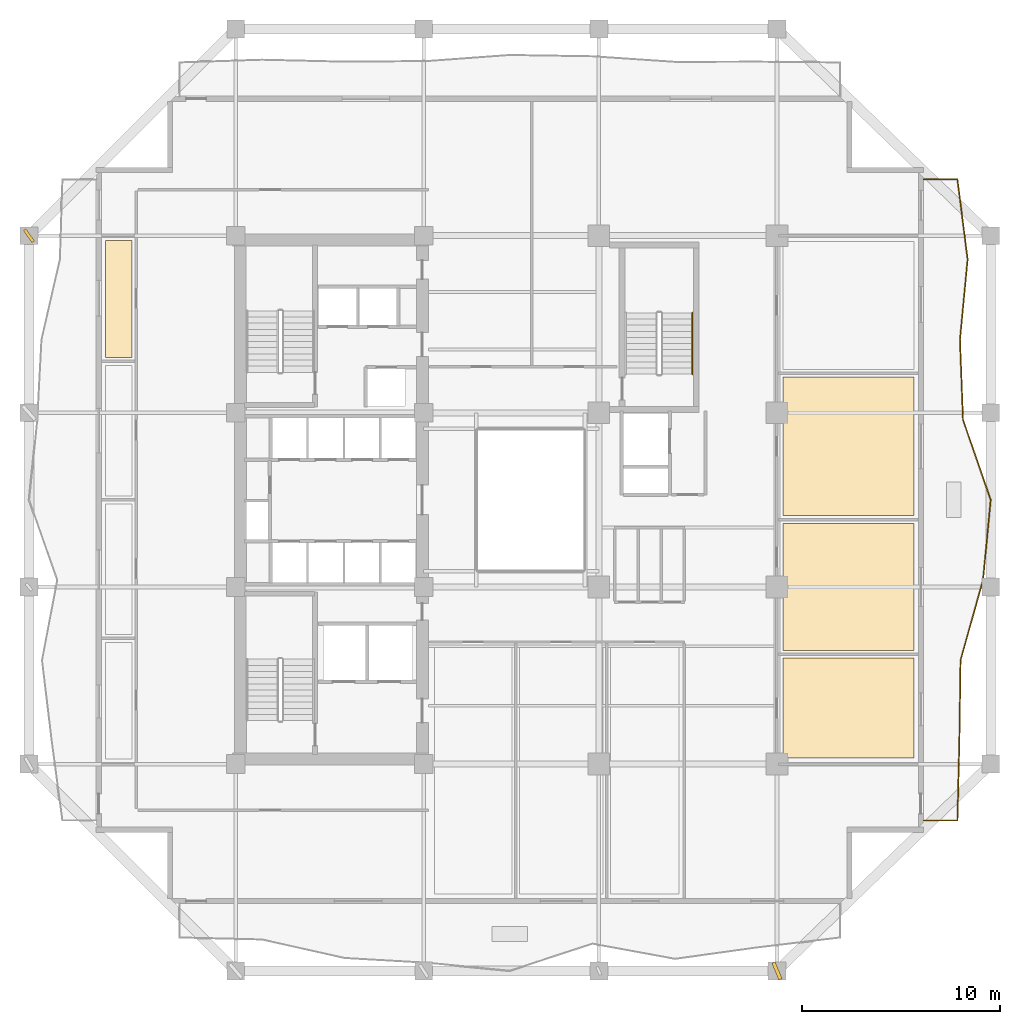
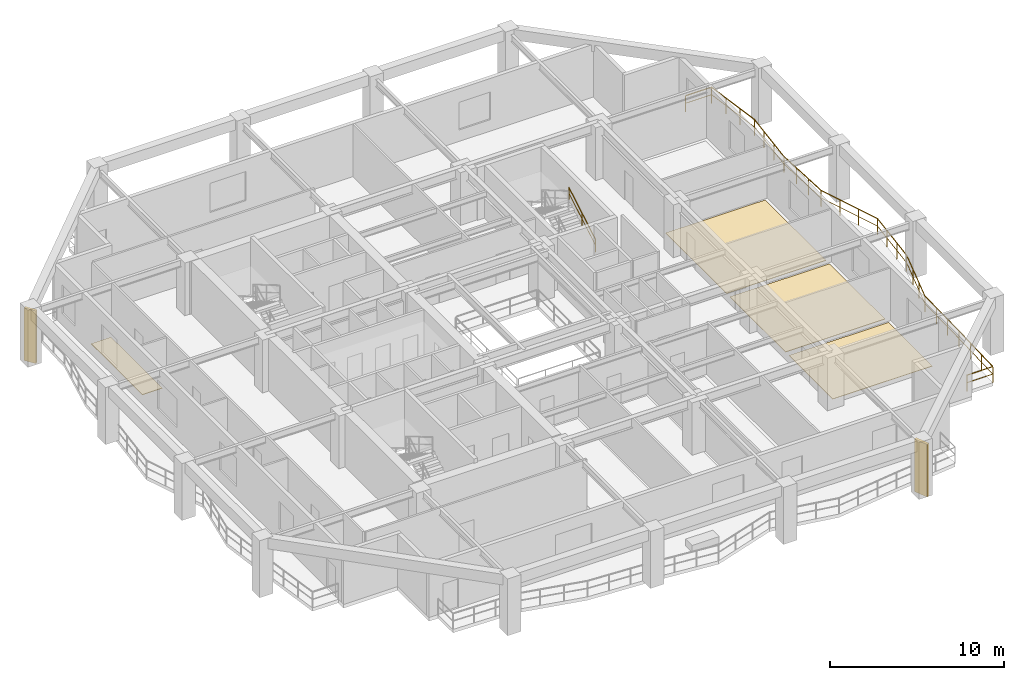
# One storey, part 9 of 11: 4 coverings, 2 railings, 2 shading devices.
"""IFC4 building model written with IfcOpenShell, lengths in metres."""

from ifc_helpers import new_model, si_unit, direction, frame, origin, origin_2d, place, context, subcontext, project, spatial, polyline, rectangle, outline, extrude, material, layer, layer_set, type_object, element, save


model = new_model("IFC4")

# Units and contexts
model_context = context("Model", 3, precision=1e-05, world=origin(), true_north=direction((0.0, 1.0)))
body_context = subcontext(model_context, "Body", "Model", "MODEL_VIEW")
ifc_project = project(units=[si_unit("LENGTHUNIT", "METRE"), si_unit("AREAUNIT", "SQUARE_METRE"), si_unit("VOLUMEUNIT", "CUBIC_METRE"), si_unit("PLANEANGLEUNIT", "RADIAN"), si_unit("MASSUNIT", "GRAM", prefix="KILO")], contexts=[model_context])

# Site, building, storey
site_placement = place(None, origin())
site = spatial("IfcSite", under=ifc_project, at=site_placement, CompositionType="ELEMENT")
building_placement = place(site_placement, origin())
building = spatial("IfcBuilding", under=site, at=building_placement, Name="Kundavana Baori Tower", CompositionType="ELEMENT")
storey_placement = place(building_placement, frame((0.0, 0.0, 90.0)))
storey = spatial("IfcBuildingStorey", under=building, at=storey_placement, Name="L21", CompositionType="ELEMENT", Elevation=90.0)

# Coverings
ifc_material_1 = material(Name="Honed Kota Stone and Terrazzo Flooring", Category="masonry")
ifc_layer_1 = layer(ifc_material_1, 0.0400390625, Name="COV-FLR-TERR-40")
ifc_layer_set_1 = layer_set([ifc_layer_1], Name="Honed Kota Stone and Terrazzo Flooring")
covering_type_1 = type_object("IfcCoveringType", Name="COV-FLR-TERR-40", PredefinedType="FLOORING", material=ifc_layer_set_1)
covering_1_placement = place(storey_placement, origin())
element("IfcCovering", 1, at=covering_1_placement, inside=storey, type_object=covering_type_1, Name="L21 Room Finished Stone Flooring 4", PredefinedType="FLOORING", context=body_context, shape_type="SweptSolid", body=[
    extrude(outline(polyline([(8.8798828125, 35.800048828125), (10.199951171875, 35.800048828125), (10.199951171875, 41.699951171875), (8.8798828125, 41.699951171875), (8.8798828125, 35.800048828125)])), origin(), (0.0, 0.0, 1.0), 0.0400390625),
])
ifc_material_2 = material(Name="Honed Kota Stone and Terrazzo Flooring", Category="masonry")
ifc_layer_2 = layer(ifc_material_2, 0.030029296875, Name="COV-INT-FLR")
ifc_layer_set_2 = layer_set([ifc_layer_2], Name="Honed Kota Stone and Terrazzo Flooring")
covering_type_2 = type_object("IfcCoveringType", Name="COV-INT-FLR", PredefinedType="FLOORING", material=ifc_layer_set_2)
covering_2_placement = place(storey_placement, origin())
element("IfcCovering", 2, at=covering_2_placement, inside=storey, type_object=covering_type_2, Name="L21 Room Finished Stone Flooring 8", PredefinedType="FLOORING", context=body_context, shape_type="SweptSolid", body=[
    extrude(outline(polyline([(43.10009765625, 15.550048828125), (49.719970703125, 15.550048828125), (49.719970703125, 20.60009765625), (43.10009765625, 20.60009765625), (43.10009765625, 15.550048828125)])), origin(), (0.0, 0.0, 1.0), 0.030029296875),
])
covering_3_placement = place(storey_placement, origin())
element("IfcCovering", 3, at=covering_3_placement, inside=storey, type_object=covering_type_2, Name="L21 Room Finished Stone Flooring 9", PredefinedType="FLOORING", context=body_context, shape_type="SweptSolid", body=[
    extrude(outline(polyline([(43.10009765625, 21.0), (49.719970703125, 21.0), (49.719970703125, 27.39990234375), (43.10009765625, 27.39990234375), (43.10009765625, 21.0)])), origin(), (0.0, 0.0, 1.0), 0.030029296875),
])
covering_4_placement = place(storey_placement, origin())
element("IfcCovering", 4, at=covering_4_placement, inside=storey, type_object=covering_type_2, Name="L21 Room Finished Stone Flooring 10", PredefinedType="FLOORING", context=body_context, shape_type="SweptSolid", body=[
    extrude(outline(polyline([(43.10009765625, 27.800048828125), (49.719970703125, 27.800048828125), (49.719970703125, 34.800048828125), (43.10009765625, 34.800048828125), (43.10009765625, 27.800048828125)])), origin(), (0.0, 0.0, 1.0), 0.030029296875),
])

# Railings
ifc_material_3 = material(Name="Architectural Patinated Bronze Metalwork")
railing_type_1 = type_object("IfcRailingType", Name="RL-BAL-1150", PredefinedType="BALUSTRADE", material=ifc_material_3)
railing_1_placement = place(storey_placement, frame((50.199951171875, 44.800048828125, 0.0)))
element("IfcRailing", 5, at=railing_1_placement, inside=storey, type_object=railing_type_1, Name="L21 Loggia Balcony Balustrade E", PredefinedType="BALUSTRADE", context=body_context, shape_type="SweptSolid", body=[
    extrude(rectangle(XDim=0.048095703125, YDim=0.048095703125, at=origin_2d()), frame((0.0, 0.0, 1.1259765625), z_axis=(1.0, 0.0, 0.0), x_axis=(0.0, 1.0, 0.0)), (0.0, 0.0, 1.0), 1.719970703125),
    extrude(rectangle(XDim=0.03125, YDim=0.03125, at=origin_2d()), frame((0.0, 0.0, 0.597900390625), z_axis=(1.0, 0.0, 0.0), x_axis=(0.0, 1.0, 0.0)), (0.0, 0.0, 1.0), 1.719970703125),
    extrude(rectangle(XDim=0.048095703125, YDim=0.048095703125, at=origin_2d()), frame((1.719970703125, 0.0, 1.1259765625), z_axis=(0.126411552453, -0.991977882519, 0.0), x_axis=(0.991977882519, 0.126411552453, 0.0)), (0.0, 0.0, 1.0), 4.082763671875),
    extrude(rectangle(XDim=0.03125, YDim=0.03125, at=origin_2d()), frame((1.719970703125, 0.0, 0.597900390625), z_axis=(0.126411552453, -0.991977882519, 0.0), x_axis=(0.991977882519, 0.126411552453, 0.0)), (0.0, 0.0, 1.0), 4.082763671875),
    extrude(rectangle(XDim=0.048095703125, YDim=0.048095703125, at=origin_2d()), frame((2.236083984375, -4.050048828125, 1.1259765625), z_axis=(-0.095112093054, -0.995466568879, 0.0), x_axis=(0.995466568879, -0.095112093054, 0.0)), (0.0, 0.0, 1.0), 4.068603515625),
    extrude(rectangle(XDim=0.03125, YDim=0.03125, at=origin_2d()), frame((2.236083984375, -4.050048828125, 0.597900390625), z_axis=(-0.095112093054, -0.995466568879, 0.0), x_axis=(0.995466568879, -0.095112093054, 0.0)), (0.0, 0.0, 1.0), 4.068603515625),
    extrude(rectangle(XDim=0.048095703125, YDim=0.048095703125, at=origin_2d()), frame((1.84912109375, -8.10009765625, 1.1259765625), z_axis=(0.0377090099, -0.999288762357, 0.0), x_axis=(0.999288762357, 0.0377090099, 0.0)), (0.0, 0.0, 1.0), 4.052978515625),
    extrude(rectangle(XDim=0.03125, YDim=0.03125, at=origin_2d()), frame((1.84912109375, -8.10009765625, 0.597900390625), z_axis=(0.0377090099, -0.999288762357, 0.0), x_axis=(0.999288762357, 0.0377090099, 0.0)), (0.0, 0.0, 1.0), 4.052978515625),
    extrude(rectangle(XDim=0.048095703125, YDim=0.048095703125, at=origin_2d()), frame((2.001953125, -12.150146484375, 1.1259765625), z_axis=(0.326347158114, -0.945249984074, 0.0), x_axis=(0.945249984074, 0.326347158114, 0.0)), (0.0, 0.0, 1.0), 4.284423828125),
    extrude(rectangle(XDim=0.03125, YDim=0.03125, at=origin_2d()), frame((2.001953125, -12.150146484375, 0.597900390625), z_axis=(0.326347158114, -0.945249984074, 0.0), x_axis=(0.945249984074, 0.326347158114, 0.0)), (0.0, 0.0, 1.0), 4.284423828125),
    extrude(rectangle(XDim=0.048095703125, YDim=0.048095703125, at=origin_2d()), frame((3.400146484375, -16.199951171875, 1.1259765625), z_axis=(-0.095409404224, -0.995438117406, 0.0), x_axis=(0.995438117406, -0.095409404224, 0.0)), (0.0, 0.0, 1.0), 4.068603515625),
    extrude(rectangle(XDim=0.03125, YDim=0.03125, at=origin_2d()), frame((3.400146484375, -16.199951171875, 0.597900390625), z_axis=(-0.095409404224, -0.995438117406, 0.0), x_axis=(0.995438117406, -0.095409404224, 0.0)), (0.0, 0.0, 1.0), 4.068603515625),
    extrude(rectangle(XDim=0.048095703125, YDim=0.048095703125, at=origin_2d()), frame((3.011962890625, -20.25, 1.1259765625), z_axis=(-0.269634231769, -0.962962813954, 0.0), x_axis=(0.962962813954, -0.269634231769, 0.0)), (0.0, 0.0, 1.0), 4.205810546875),
    extrude(rectangle(XDim=0.03125, YDim=0.03125, at=origin_2d()), frame((3.011962890625, -20.25, 0.597900390625), z_axis=(-0.269634231769, -0.962962813954, 0.0), x_axis=(0.962962813954, -0.269634231769, 0.0)), (0.0, 0.0, 1.0), 4.205810546875),
    extrude(rectangle(XDim=0.048095703125, YDim=0.048095703125, at=origin_2d()), frame((1.8779296875, -24.300048828125, 1.1259765625), z_axis=(-0.014526166256, -0.999894489681, 0.0), x_axis=(0.999894489681, -0.014526166256, 0.0)), (0.0, 0.0, 1.0), 4.050537109375),
    extrude(rectangle(XDim=0.03125, YDim=0.03125, at=origin_2d()), frame((1.8779296875, -24.300048828125, 0.597900390625), z_axis=(-0.014526166256, -0.999894489681, 0.0), x_axis=(0.999894489681, -0.014526166256, 0.0)), (0.0, 0.0, 1.0), 4.050537109375),
    extrude(rectangle(XDim=0.048095703125, YDim=0.048095703125, at=origin_2d()), frame((1.819091796875, -28.35009765625, 1.1259765625), z_axis=(-0.024466722638, -0.999700644935, 0.0), x_axis=(0.999700644935, -0.024466722638, 0.0)), (0.0, 0.0, 1.0), 4.05126953125),
    extrude(rectangle(XDim=0.03125, YDim=0.03125, at=origin_2d()), frame((1.819091796875, -28.35009765625, 0.597900390625), z_axis=(-0.024466722638, -0.999700644935, 0.0), x_axis=(0.999700644935, -0.024466722638, 0.0)), (0.0, 0.0, 1.0), 4.05126953125),
    extrude(rectangle(XDim=0.048095703125, YDim=0.048095703125, at=origin_2d()), frame((1.719970703125, -32.400146484375, 1.1259765625), z_axis=(-1.0, 0.0, 0.0), x_axis=(0.0, -1.0, 0.0)), (0.0, 0.0, 1.0), 1.719970703125),
    extrude(rectangle(XDim=0.03125, YDim=0.03125, at=origin_2d()), frame((1.719970703125, -32.400146484375, 0.597900390625), z_axis=(-1.0, 0.0, 0.0), x_axis=(0.0, -1.0, 0.0)), (0.0, 0.0, 1.0), 1.719970703125),
    extrude(rectangle(XDim=0.0419921875, YDim=0.0419921875, at=origin_2d()), origin(), (0.0, 0.0, 1.0), 1.101806640625),
    extrude(rectangle(XDim=0.0419921875, YDim=0.0419921875, at=origin_2d()), frame((1.719970703125, 0.0, 0.0)), (0.0, 0.0, 1.0), 1.101806640625),
    extrude(rectangle(XDim=0.0419921875, YDim=0.0419921875, at=origin_2d()), frame((1.89208984375, -1.35009765625, 0.0)), (0.0, 0.0, 1.0), 1.101806640625),
    extrude(rectangle(XDim=0.0419921875, YDim=0.0419921875, at=origin_2d()), frame((2.06396484375, -2.699951171875, 0.0)), (0.0, 0.0, 1.0), 1.101806640625),
    extrude(rectangle(XDim=0.0419921875, YDim=0.0419921875, at=origin_2d()), frame((2.236083984375, -4.050048828125, 0.0)), (0.0, 0.0, 1.0), 1.101806640625),
    extrude(rectangle(XDim=0.0419921875, YDim=0.0419921875, at=origin_2d()), frame((2.107177734375, -5.400146484375, 0.0)), (0.0, 0.0, 1.0), 1.101806640625),
    extrude(rectangle(XDim=0.0419921875, YDim=0.0419921875, at=origin_2d()), frame((1.97802734375, -6.75, 0.0)), (0.0, 0.0, 1.0), 1.101806640625),
    extrude(rectangle(XDim=0.0419921875, YDim=0.0419921875, at=origin_2d()), frame((1.84912109375, -8.10009765625, 0.0)), (0.0, 0.0, 1.0), 1.101806640625),
    extrude(rectangle(XDim=0.0419921875, YDim=0.0419921875, at=origin_2d()), frame((1.900146484375, -9.4501953125, 0.0)), (0.0, 0.0, 1.0), 1.101806640625),
    extrude(rectangle(XDim=0.0419921875, YDim=0.0419921875, at=origin_2d()), frame((1.950927734375, -10.800048828125, 0.0)), (0.0, 0.0, 1.0), 1.101806640625),
    extrude(rectangle(XDim=0.0419921875, YDim=0.0419921875, at=origin_2d()), frame((2.001953125, -12.150146484375, 0.0)), (0.0, 0.0, 1.0), 1.101806640625),
    extrude(rectangle(XDim=0.0419921875, YDim=0.0419921875, at=origin_2d()), frame((2.468017578125, -13.5, 0.0)), (0.0, 0.0, 1.0), 1.101806640625),
    extrude(rectangle(XDim=0.0419921875, YDim=0.0419921875, at=origin_2d()), frame((2.93408203125, -14.85009765625, 0.0)), (0.0, 0.0, 1.0), 1.101806640625),
    extrude(rectangle(XDim=0.0419921875, YDim=0.0419921875, at=origin_2d()), frame((3.400146484375, -16.199951171875, 0.0)), (0.0, 0.0, 1.0), 1.101806640625),
    extrude(rectangle(XDim=0.0419921875, YDim=0.0419921875, at=origin_2d()), frame((3.270751953125, -17.550048828125, 0.0)), (0.0, 0.0, 1.0), 1.101806640625),
    extrude(rectangle(XDim=0.0419921875, YDim=0.0419921875, at=origin_2d()), frame((3.141357421875, -18.89990234375, 0.0)), (0.0, 0.0, 1.0), 1.101806640625),
    extrude(rectangle(XDim=0.0419921875, YDim=0.0419921875, at=origin_2d()), frame((3.011962890625, -20.25, 0.0)), (0.0, 0.0, 1.0), 1.101806640625),
    extrude(rectangle(XDim=0.0419921875, YDim=0.0419921875, at=origin_2d()), frame((2.634033203125, -21.60009765625, 0.0)), (0.0, 0.0, 1.0), 1.101806640625),
    extrude(rectangle(XDim=0.0419921875, YDim=0.0419921875, at=origin_2d()), frame((2.255859375, -22.949951171875, 0.0)), (0.0, 0.0, 1.0), 1.101806640625),
    extrude(rectangle(XDim=0.0419921875, YDim=0.0419921875, at=origin_2d()), frame((1.8779296875, -24.300048828125, 0.0)), (0.0, 0.0, 1.0), 1.101806640625),
    extrude(rectangle(XDim=0.0419921875, YDim=0.0419921875, at=origin_2d()), frame((1.8583984375, -25.650146484375, 0.0)), (0.0, 0.0, 1.0), 1.101806640625),
    extrude(rectangle(XDim=0.0419921875, YDim=0.0419921875, at=origin_2d()), frame((1.838623046875, -27.0, 0.0)), (0.0, 0.0, 1.0), 1.101806640625),
    extrude(rectangle(XDim=0.0419921875, YDim=0.0419921875, at=origin_2d()), frame((1.819091796875, -28.35009765625, 0.0)), (0.0, 0.0, 1.0), 1.101806640625),
    extrude(rectangle(XDim=0.0419921875, YDim=0.0419921875, at=origin_2d()), frame((1.7861328125, -29.7001953125, 0.0)), (0.0, 0.0, 1.0), 1.101806640625),
    extrude(rectangle(XDim=0.0419921875, YDim=0.0419921875, at=origin_2d()), frame((1.7529296875, -31.050048828125, 0.0)), (0.0, 0.0, 1.0), 1.101806640625),
    extrude(rectangle(XDim=0.0419921875, YDim=0.0419921875, at=origin_2d()), frame((1.719970703125, -32.400146484375, 0.0)), (0.0, 0.0, 1.0), 1.101806640625),
    extrude(rectangle(XDim=0.0419921875, YDim=0.0419921875, at=origin_2d()), frame((0.0, -32.400146484375, 0.0)), (0.0, 0.0, 1.0), 1.101806640625),
])
ifc_material_4 = material(Name="Architectural Patinated Bronze Metalwork")
railing_type_2 = type_object("IfcRailingType", Name="RL-HND-920", PredefinedType="HANDRAIL", material=ifc_material_4)
railing_2_placement = place(storey_placement, frame((38.530029296875, 34.949951171875, 0.181884765625)))
element("IfcRailing", 6, at=railing_2_placement, inside=storey, type_object=railing_type_2, Name="L21 ST3 stair handrail 1", PredefinedType="HANDRAIL", context=body_context, shape_type="SweptSolid", body=[
    extrude(rectangle(XDim=0.048095703125, YDim=0.048095703125, at=origin_2d()), frame((0.0, 0.0, 0.8759765625), z_axis=(0.0, 0.862598821094, 0.505888598258), x_axis=(-1.0, 0.0, 0.0)), (0.0, 0.0, 1.0), 3.593994140625),
    extrude(rectangle(XDim=0.03125, YDim=0.03125, at=origin_2d()), frame((0.0, 0.0, 0.468017578125), z_axis=(0.0, 0.862598821094, 0.505888598258), x_axis=(-1.0, 0.0, 0.0)), (0.0, 0.0, 1.0), 3.593994140625),
    extrude(rectangle(XDim=0.0419921875, YDim=0.0419921875, at=origin_2d()), origin(), (0.0, 0.0, 1.0), 0.851806640625),
    extrude(rectangle(XDim=0.0419921875, YDim=0.0419921875, at=origin_2d()), frame((0.0, 1.550048828125, 0.9091796875)), (0.0, 0.0, 1.0), 0.851806640625),
    extrude(rectangle(XDim=0.0419921875, YDim=0.0419921875, at=origin_2d()), frame((0.0, 3.10009765625, 1.818115234375)), (0.0, 0.0, 1.0), 0.851806640625),
])

# Shading devices
ifc_material_5 = material(Name="Red-Buff Dholpur Sandstone Cladding on Concrete C40/50", Category="masonry")
shading_device_type_1 = type_object("IfcShadingDeviceType", Name="SHD-FIN-750", PredefinedType="JALOUSIE", material=ifc_material_5)
shading_device_1_placement = place(storey_placement, frame((5.0, 41.949951171875, 0.0), z_axis=(0.0, 0.0, 1.0), x_axis=(0.814115518356, 0.580702955711, 0.0)))
element("IfcShadingDevice", 7, at=shading_device_1_placement, inside=storey, type_object=shading_device_type_1, Name="L21 Sweeping Dholpur Sandstone Facade Fin 8", PredefinedType="JALOUSIE", context=body_context, shape_type="SweptSolid", body=[
    extrude(rectangle(XDim=0.159912109375, YDim=0.75, at=origin_2d()), origin(), (0.0, 0.0, 1.0), 3.699951171875),
])
ifc_material_6 = material(Name="Red-Buff Dholpur Sandstone Cladding on Concrete C40/50", Category="masonry")
shading_device_type_2 = type_object("IfcShadingDeviceType", Name="SHD-FIN-920", PredefinedType="JALOUSIE", material=ifc_material_6)
shading_device_2_placement = place(storey_placement, frame((42.800048828125, 4.800048828125, 0.0), z_axis=(0.0, 0.0, 1.0), x_axis=(0.923076016497, 0.3846175604, 0.0)))
element("IfcShadingDevice", 8, at=shading_device_2_placement, inside=storey, type_object=shading_device_type_2, Name="L21 Sweeping Dholpur Sandstone Facade Fin 4", PredefinedType="JALOUSIE", context=body_context, shape_type="SweptSolid", body=[
    extrude(rectangle(XDim=0.179931640625, YDim=0.919921875, at=origin_2d()), origin(), (0.0, 0.0, 1.0), 3.699951171875),
])

save(model, "model.ifc")
